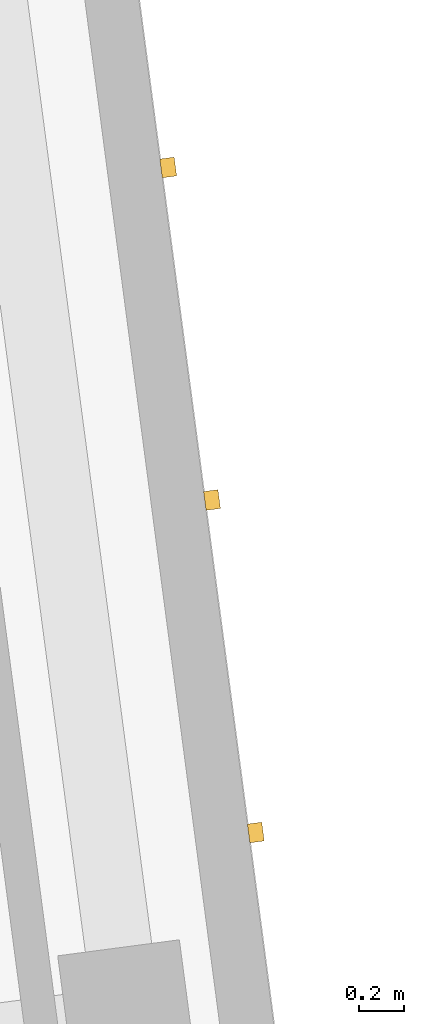
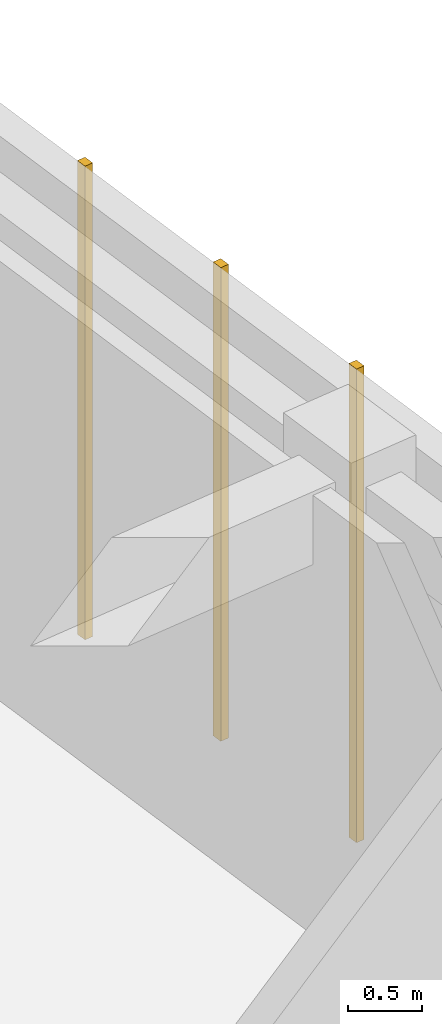
# One storey, part 128 of 150: 3 coverings.
"""IFC4 building model written with IfcOpenShell, lengths in metres."""

from ifc_helpers import new_model, si_unit, direction, frame, origin, origin_2d, place, context, subcontext, project, spatial, rectangle, extrude, material, layer, layer_set, type_object, element, save


model = new_model("IFC4")

# Units and contexts
model_context = context("Model", 3, precision=1e-05, world=origin(), true_north=direction((0.0, 1.0)))
body_context = subcontext(model_context, "Body", "Model", "MODEL_VIEW")
ifc_project = project(units=[si_unit("LENGTHUNIT", "METRE"), si_unit("AREAUNIT", "SQUARE_METRE"), si_unit("VOLUMEUNIT", "CUBIC_METRE"), si_unit("PLANEANGLEUNIT", "RADIAN"), si_unit("MASSUNIT", "GRAM", prefix="KILO")], contexts=[model_context])

# Site, building, storey
site_placement = place(None, origin())
site = spatial("IfcSite", under=ifc_project, at=site_placement, CompositionType="ELEMENT")
building_placement = place(site_placement, origin())
building = spatial("IfcBuilding", under=site, at=building_placement, Name="Kestramere Prow Commons", CompositionType="ELEMENT")
storey_placement = place(building_placement, frame((0.0, 0.0, 4.5)))
storey = spatial("IfcBuildingStorey", under=building, at=storey_placement, Name="L01", CompositionType="ELEMENT", Elevation=4.5)

# Coverings
ifc_material = material(Name="Weathered Zinc-Titanium Standing-Seam Cladding")
ifc_layer = layer(ifc_material, 0.074951171875)
ifc_layer_set = layer_set([ifc_layer], Name="Weathered Zinc-Titanium Standing-Seam Cladding")
covering_type = type_object("IfcCoveringType", Name="COV-CLAD-SEAM", PredefinedType="CLADDING", material=ifc_layer_set)
for number, where, z_axis, x_axis, name in (
    (1, (62.129638671875, 94.857421875, -0.25), (0.0, 0.0, 1.0), (0.13052619222, -0.991444861374, 0.0), "EW-A-L01-EAV Standing-Seam Rib 3"),
    (2, (62.325927734375, 93.36669921875, -0.25), (0.0, 0.0, 1.0), (0.13052619222, -0.991444861374, 0.0), "EW-A-L01-EAV Standing-Seam Rib 4"),
    (3, (62.522216796875, 91.8759765625, -0.25), (0.0, 0.0, 1.0), (0.13052619222, -0.991444861374, 0.0), "EW-A-L01-EAV Standing-Seam Rib 5"),
):
    element("IfcCovering", number, at=place(storey_placement, frame(where, z_axis=z_axis, x_axis=x_axis)), inside=storey, type_object=covering_type, Name=name, PredefinedType="CLADDING", context=body_context, shape_type="SweptSolid", body=[
        extrude(rectangle(XDim=0.0849609375, YDim=0.06494140625, at=origin_2d()), origin(), (0.0, 0.0, 1.0), 3.89990234375),
    ])

save(model, "model.ifc")
